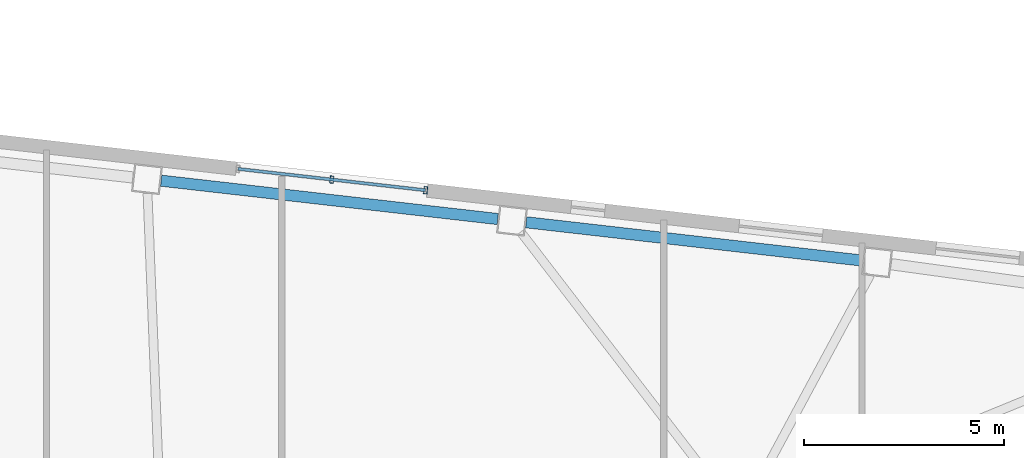
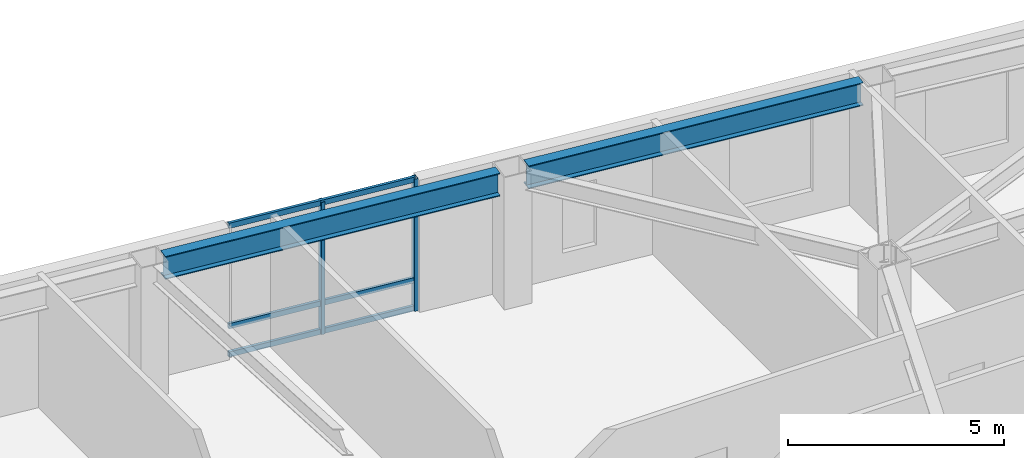
# One storey, part 9 of 21: 5 members, 2 beams, 1 element without a shape of its own.
"""IFC4 building model written with IfcOpenShell, lengths in metres."""

from ifc_helpers import new_model, si_unit, direction, frame, origin, origin_2d, place, context, subcontext, project, spatial, hollow_rectangle, i_section, extrude, material, layer, layer_set, material_profile, profile_set, type_object, element, aggregate, save


model = new_model("IFC4")

# Units and contexts
model_context = context("Model", 3, precision=1e-05, world=origin(), true_north=direction((0.0, 1.0)))
body_context = subcontext(model_context, "Body", "Model", "MODEL_VIEW")
ifc_project = project(units=[si_unit("LENGTHUNIT", "METRE"), si_unit("AREAUNIT", "SQUARE_METRE"), si_unit("VOLUMEUNIT", "CUBIC_METRE"), si_unit("PLANEANGLEUNIT", "RADIAN"), si_unit("MASSUNIT", "GRAM", prefix="KILO")], contexts=[model_context])

# Site, building, storey
site_placement = place(None, origin())
site = spatial("IfcSite", under=ifc_project, at=site_placement, CompositionType="ELEMENT")
building_placement = place(site_placement, origin())
building = spatial("IfcBuilding", under=site, at=building_placement, Name="Tavrogorsk Clinical Tower", CompositionType="ELEMENT")
storey_placement = place(building_placement, frame((0.0, 0.0, 129.39990234375)))
storey = spatial("IfcBuildingStorey", under=building, at=storey_placement, Name="L29", CompositionType="ELEMENT", Elevation=129.39990234375)

# Curtain wall, members
ifc_material_1 = material(Name="Anodised aluminium and triple IGU glazing", Category="aluminium")
ifc_layer = layer(ifc_material_1, 0.179931640625)
ifc_layer_set = layer_set([ifc_layer], Name="Anodised aluminium and triple IGU glazing")
curtain_wall_type = type_object("IfcCurtainWallType", Name="CW2_NorthSlot", PredefinedType="NOTDEFINED", material=ifc_layer_set)
curtain_wall_placement = place(storey_placement, origin())
curtain_wall = element("IfcCurtainWall", 1, at=curtain_wall_placement, inside=storey, type_object=curtain_wall_type, Name="L29 Curtain Wall CW-L29-N-SLOT-2", PredefinedType="NOTDEFINED")
ifc_material_2 = material(Name="Anodised aluminium alloy AW-6060", Category="aluminium")
ifc_material_profile_1 = material_profile(ifc_material_2, hollow_rectangle(XDim=0.090087890625, YDim=0.179931640625, WallThickness=0.00634765625, at=origin_2d()), Name="RHS-180x90x6.3")
ifc_profile_set_1 = profile_set([ifc_material_profile_1], Name="Anodised aluminium alloy AW-6060")
member_type_1 = type_object("IfcMemberType", Name="CwMullion_180x90", PredefinedType="MULLION", material=ifc_profile_set_1)
member_1_placement = place(storey_placement, frame((16.650146484375, 21.36572265625, 0.0), z_axis=(0.0, 0.0, 1.0), x_axis=(-0.993571855603, 0.11320321441, 0.0)))
member_1 = element("IfcMember", 2, at=member_1_placement, type_object=member_type_1, Name="CW-L29-N-SLOT-2 Mullion 1", PredefinedType="MULLION", context=body_context, shape_type="SweptSolid", body=[
    extrude(hollow_rectangle(XDim=0.090087890625, YDim=0.179931640625, WallThickness=0.00634765625, at=origin_2d()), origin(), (0.0, 0.0, 1.0), 3.739990234375),
])
member_2_placement = place(storey_placement, frame((14.306396484375, 21.6328125, 0.0), z_axis=(0.0, 0.0, 1.0), x_axis=(-0.993571855603, 0.11320321441, 0.0)))
member_2 = element("IfcMember", 3, at=member_2_placement, type_object=member_type_1, Name="CW-L29-N-SLOT-2 Mullion 2", PredefinedType="MULLION", context=body_context, shape_type="SweptSolid", body=[
    extrude(hollow_rectangle(XDim=0.090087890625, YDim=0.179931640625, WallThickness=0.00634765625, at=origin_2d()), origin(), (0.0, 0.0, 1.0), 3.739990234375),
])
ifc_material_3 = material(Name="Anodised aluminium alloy AW-6060", Category="aluminium")
ifc_material_profile_2 = material_profile(ifc_material_3, hollow_rectangle(XDim=0.074951171875, YDim=0.14990234375, WallThickness=0.0048828125, at=origin_2d()), Name="RHS-150x75x5")
ifc_profile_set_2 = profile_set([ifc_material_profile_2], Name="Anodised aluminium alloy AW-6060")
member_type_2 = type_object("IfcMemberType", Name="CwTransom_150x75", PredefinedType="USERDEFINED", material=ifc_profile_set_2)
member_3_placement = place(storey_placement, frame((16.650146484375, 21.36572265625, 0.050048828125), z_axis=(-0.993569315854, 0.113225503286, 0.0), x_axis=(-0.113225503286, -0.993569315854, 0.0)))
member_3 = element("IfcMember", 4, at=member_3_placement, type_object=member_type_2, Name="CW-L29-N-SLOT-2 Transom 1", ObjectType="TRANSOM", PredefinedType="USERDEFINED", context=body_context, shape_type="SweptSolid", body=[
    extrude(hollow_rectangle(XDim=0.074951171875, YDim=0.14990234375, WallThickness=0.0048828125, at=origin_2d()), origin(), (0.0, 0.0, 1.0), 4.7177734375),
])
member_4_placement = place(storey_placement, frame((16.650146484375, 21.36572265625, 0.85009765625), z_axis=(-0.993569315854, 0.113225503286, 0.0), x_axis=(-0.113225503286, -0.993569315854, 0.0)))
member_4 = element("IfcMember", 5, at=member_4_placement, type_object=member_type_2, Name="CW-L29-N-SLOT-2 Transom 2", ObjectType="TRANSOM", PredefinedType="USERDEFINED", context=body_context, shape_type="SweptSolid", body=[
    extrude(hollow_rectangle(XDim=0.074951171875, YDim=0.14990234375, WallThickness=0.0048828125, at=origin_2d()), origin(), (0.0, 0.0, 1.0), 4.7177734375),
])
member_5_placement = place(storey_placement, frame((16.650146484375, 21.36572265625, 3.690185546875), z_axis=(-0.993569315854, 0.113225503286, 0.0), x_axis=(-0.113225503286, -0.993569315854, 0.0)))
member_5 = element("IfcMember", 6, at=member_5_placement, type_object=member_type_2, Name="CW-L29-N-SLOT-2 Transom 3", ObjectType="TRANSOM", PredefinedType="USERDEFINED", context=body_context, shape_type="SweptSolid", body=[
    extrude(hollow_rectangle(XDim=0.074951171875, YDim=0.14990234375, WallThickness=0.0048828125, at=origin_2d()), origin(), (0.0, 0.0, 1.0), 4.7177734375),
])
aggregate(curtain_wall, [member_1, member_2, member_3, member_4, member_5])

# Beams
ifc_material_4 = material(Name="Structural steel S390", Category="steel")
ifc_material_profile_3 = material_profile(ifc_material_4, i_section(OverallWidth=0.280029296875, OverallDepth=0.64990234375, WebThickness=0.01611328125, FlangeThickness=0.02490234375, at=origin_2d()), Name="B-650x280x16x25")
ifc_profile_set_3 = profile_set([ifc_material_profile_3], Name="Structural steel S390")
beam_type = type_object("IfcBeamType", Name="SpandrelBeam_B650", PredefinedType="SPANDREL", material=ifc_profile_set_3)
beam_1_placement = place(storey_placement, frame((27.5703125, 19.608154296875, 3.4150390625), z_axis=(-0.993569819641, 0.113221082395, 0.0), x_axis=(-0.113221082395, -0.993569819641, 0.0)))
element("IfcBeam", 7, at=beam_1_placement, inside=storey, type_object=beam_type, Name="L29 Perimeter Spandrel N2-N3", PredefinedType="SPANDREL", context=body_context, shape_type="SweptSolid", body=[
    extrude(i_section(OverallWidth=0.280029296875, OverallDepth=0.64990234375, WebThickness=0.01611328125, FlangeThickness=0.02490234375, at=origin_2d()), origin(), (0.0, 0.0, 1.0), 8.46142578125),
])
beam_2_placement = place(storey_placement, frame((18.451904296875, 20.647216796875, 3.4150390625), z_axis=(-0.99357232562, 0.113199089054, 0.0), x_axis=(-0.113199089054, -0.99357232562, 0.0)))
element("IfcBeam", 8, at=beam_2_placement, inside=storey, type_object=beam_type, Name="L29 Perimeter Spandrel N3-N4", PredefinedType="SPANDREL", context=body_context, shape_type="SweptSolid", body=[
    extrude(i_section(OverallWidth=0.280029296875, OverallDepth=0.64990234375, WebThickness=0.01611328125, FlangeThickness=0.02490234375, at=origin_2d()), origin(), (0.0, 0.0, 1.0), 8.4609375),
])

save(model, "model.ifc")
